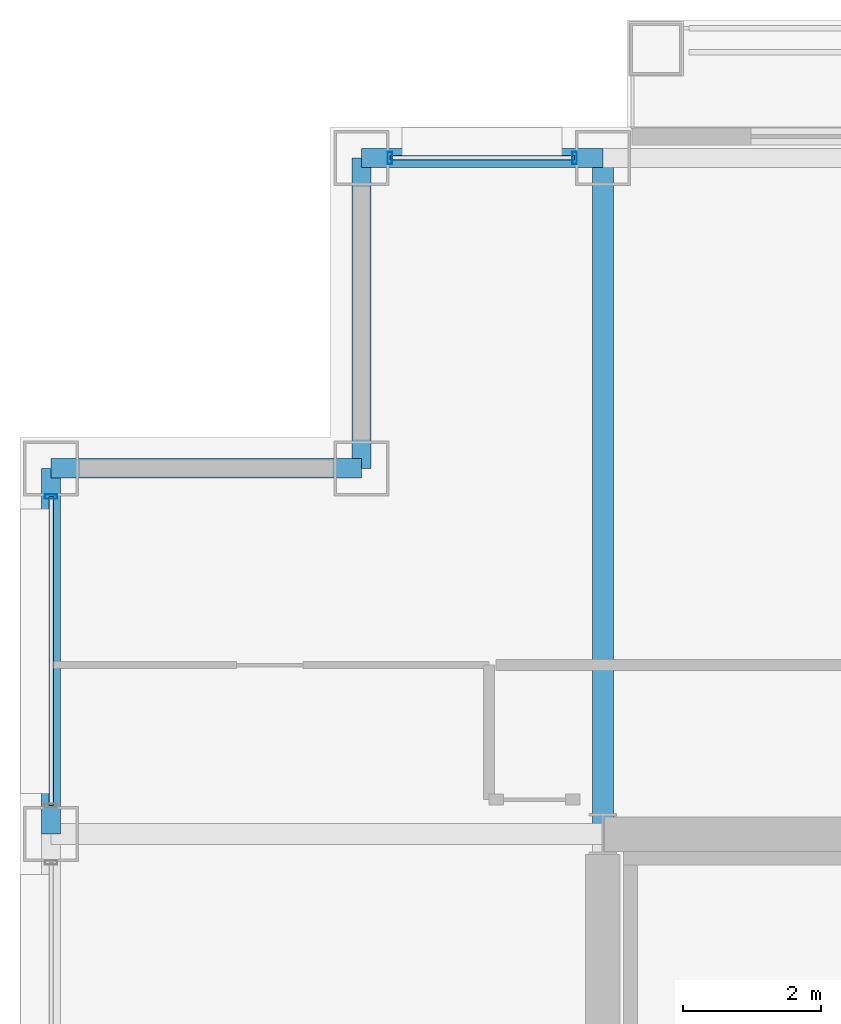
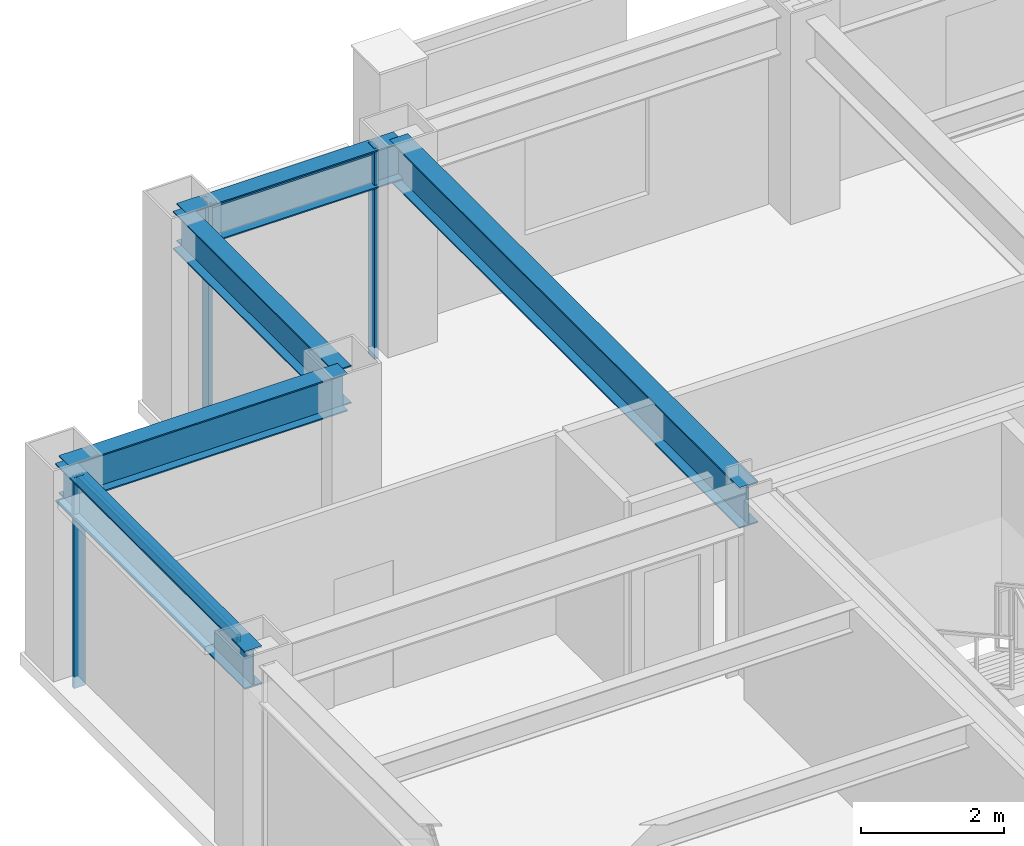
# One storey, part 17 of 29: 5 beams, 5 members, 2 elements without a shape of their own.
"""IFC4 building model written with IfcOpenShell, lengths in metres."""

import ifcopenshell
import ifcopenshell.guid

model = None  # the IFC model being written
_history = None  # IfcOwnerHistory: only IFC2X3 demands one
_inside = {}  # id of a spatial element -> (the spatial element, [elements in it])
_under = {}  # id of a project, library or spatial element -> (it, [spatial elements below it])
_declared = {}  # id of a project -> (the project, [libraries it declares])
_typed = {}  # id of a type object -> (the type object, [elements of that type])
_made_of = {}  # id of a material, layer set ... -> (it, [elements and type objects made of it])


def new_model(schema):
    """Start an empty IFC model of exactly this schema.

    Asked for "IFC4X3", IfcOpenShell would pick the latest addendum, in which some entities
    have other attributes; the version numbers below select the first issue.
    IFC2X3 requires an IfcOwnerHistory on every rooted entity: one is made here for all.
    """
    global model, _history
    if schema == "IFC4X3":
        model = ifcopenshell.file(schema_version=(4, 3, 0, 0))
    else:
        model = ifcopenshell.file(schema=schema)
    _inside.clear()
    _under.clear()
    _declared.clear()
    _typed.clear()
    _made_of.clear()
    _history = None
    if model.schema == "IFC2X3":
        org = make("IfcOrganization", Name="unknown")
        user = make(
            "IfcPersonAndOrganization",
            ThePerson=make("IfcPerson", FamilyName="unknown"),
            TheOrganization=org,
        )
        app = make(
            "IfcApplication",
            ApplicationDeveloper=org,
            Version="unknown",
            ApplicationFullName="unknown",
            ApplicationIdentifier="unknown",
        )
        _history = make(
            "IfcOwnerHistory",
            OwningUser=user,
            OwningApplication=app,
            ChangeAction="ADDED",
            CreationDate=0,
        )
    return model


def make(cls, **values):
    """One entity of the class cls with the attributes given. An attribute that is None is left unset."""
    return model.create_entity(
        cls, **{name: value for name, value in values.items() if value is not None}
    )


def rooted(cls, **values):
    """An entity with a GlobalId (a new one), such as an element, a storey or a relation."""
    return make(cls, GlobalId=ifcopenshell.guid.new(), OwnerHistory=_history, **values)


def si_unit(unit_type, name, prefix=None):
    """IfcSIUnit, for example si_unit("LENGTHUNIT", "METRE", prefix="MILLI")."""
    return make("IfcSIUnit", UnitType=unit_type, Prefix=prefix, Name=name)


def assignment(units):
    """IfcUnitAssignment: the units of a project."""
    return None if units is None else make("IfcUnitAssignment", Units=units)


def point(xyz):
    """IfcCartesianPoint."""
    return None if xyz is None else make("IfcCartesianPoint", Coordinates=xyz)


def direction(xyz):
    """IfcDirection."""
    return None if xyz is None else make("IfcDirection", DirectionRatios=xyz)


def frame(location, z_axis=None, x_axis=None):
    """IfcAxis2Placement3D, a coordinate frame: its origin and axes. An axis left out is left unset."""
    return make(
        "IfcAxis2Placement3D",
        Location=point(location),
        Axis=direction(z_axis),
        RefDirection=direction(x_axis),
    )


def frame_2d(location, x_axis=None):
    """IfcAxis2Placement2D, a coordinate frame in the plane: its origin and x axis."""
    return make(
        "IfcAxis2Placement2D", Location=point(location), RefDirection=direction(x_axis)
    )


def origin():
    """The frame at (0, 0, 0) with its axes left unset."""
    return frame((0.0, 0.0, 0.0))


def origin_2d():
    """The frame at (0, 0) in the plane with its x axis left unset."""
    return frame_2d((0.0, 0.0))


def place(relative_to, where):
    """IfcLocalPlacement: puts the frame where relative to a parent placement (None: the world)."""
    return make(
        "IfcLocalPlacement", PlacementRelTo=relative_to, RelativePlacement=where
    )


def context(
    kind, dimensions, precision=None, world=None, true_north=None, identifier=None
):
    """IfcGeometricRepresentationContext, for example the 3D "Model" context."""
    return make(
        "IfcGeometricRepresentationContext",
        ContextIdentifier=identifier,
        ContextType=kind,
        CoordinateSpaceDimension=dimensions,
        Precision=precision,
        WorldCoordinateSystem=world,
        TrueNorth=true_north,
    )


def subcontext(parent, identifier, kind, view, scale=None):
    """IfcGeometricRepresentationSubContext, for example "Body" below "Model"."""
    return make(
        "IfcGeometricRepresentationSubContext",
        ContextIdentifier=identifier,
        ContextType=kind,
        ParentContext=parent,
        TargetScale=scale,
        TargetView=view,
    )


def project(units=None, contexts=None):
    """IfcProject with its units and contexts."""
    return rooted(
        "IfcProject",
        Name="project",
        RepresentationContexts=contexts,
        UnitsInContext=assignment(units),
    )


def spatial(cls, under=None, at=None, **own):
    """A site, building, storey or space (cls), placed at a placement, below another one or the project."""
    s = rooted(cls, ObjectPlacement=at, **own)
    if under is not None:
        _under.setdefault(under.id(), (under, []))[1].append(s)
    return s


def profile(cls, at=None, kind="AREA", **sizes):
    """A parametric profile (cls). Its sizes go by their IFC names, for example OverallWidth=200.0."""
    return make(cls, ProfileType=kind, Position=at, **sizes)


def hollow_rectangle(**sizes):
    """IfcRectangleHollowProfileDef."""
    return profile("IfcRectangleHollowProfileDef", **sizes)


def i_section(**sizes):
    """IfcIShapeProfileDef."""
    return profile("IfcIShapeProfileDef", **sizes)


def extrude(swept, where, along, depth):
    """IfcExtrudedAreaSolid: the profile swept, set in the frame where, extruded along a direction by depth."""
    return make(
        "IfcExtrudedAreaSolid",
        SweptArea=swept,
        Position=where,
        ExtrudedDirection=direction(along),
        Depth=depth,
    )


def shape(context_of_items, identifier, shape_type, items):
    """IfcShapeRepresentation: the items that make up one representation, for example the "Body"."""
    return make(
        "IfcShapeRepresentation",
        ContextOfItems=context_of_items,
        RepresentationIdentifier=identifier,
        RepresentationType=shape_type,
        Items=items,
    )


def material(Name=None, Category=None):
    """IfcMaterial."""
    return make("IfcMaterial", Name=Name, Category=Category)


def layer(
    of_material, thickness, ventilated=None, Name=None, Category=None, Priority=None
):
    """IfcMaterialLayer: one layer of a wall or slab, of a material (None: an air gap)."""
    return make(
        "IfcMaterialLayer",
        Material=of_material,
        LayerThickness=thickness,
        IsVentilated=ventilated,
        Name=Name,
        Category=Category,
        Priority=Priority,
    )


def layer_set(layers, Name=None):
    """IfcMaterialLayerSet."""
    return make("IfcMaterialLayerSet", MaterialLayers=layers, LayerSetName=Name)


def material_profile(
    of_material, cross_section, Name=None, Category=None, Priority=None
):
    """IfcMaterialProfile: a cross section and its material."""
    return make(
        "IfcMaterialProfile",
        Name=Name,
        Material=of_material,
        Profile=cross_section,
        Priority=Priority,
        Category=Category,
    )


def profile_set(profiles, Name=None, composite=None):
    """IfcMaterialProfileSet."""
    return make(
        "IfcMaterialProfileSet",
        Name=Name,
        MaterialProfiles=profiles,
        CompositeProfile=composite,
    )


def made_of(thing, what):
    """Note that an element or type object is made of a material, layer set ...; save() writes the relation."""
    if what is not None:
        _made_of.setdefault(what.id(), (what, []))[1].append(thing)
    return thing


def type_object(cls, material=None, **own):
    """A type object (cls), such as IfcWallType, which elements share."""
    return made_of(rooted(cls, **own), material)


def element(
    cls,
    number,
    at=None,
    inside=None,
    cuts=None,
    type_object=None,
    material=None,
    context=None,
    identifier="Body",
    shape_type=None,
    held_by="IfcProductDefinitionShape",
    body=None,
    shapes=None,
    **own,
):
    """One element of the class cls, such as IfcWall. Its Tag is "e" and its number.

    at: its placement. inside: the storey or other place that contains it. cuts: it is an
    opening in that element (IfcRelVoidsElement). A single representation is given by context,
    identifier, shape_type and body (its items); several are given by shapes. held_by: the class
    of the entity that holds the representations. save() writes the other relations.
    """
    e = rooted(cls, Tag="e%d" % number, ObjectPlacement=at, **own)
    if body is not None:
        shapes = [shape(context, identifier, shape_type, body)]
    if shapes is not None:
        e.Representation = make(held_by, Representations=shapes)
    if inside is not None:
        _inside.setdefault(inside.id(), (inside, []))[1].append(e)
    if cuts is not None:
        rooted(
            "IfcRelVoidsElement", RelatingBuildingElement=cuts, RelatedOpeningElement=e
        )
    if type_object is not None:
        _typed.setdefault(type_object.id(), (type_object, []))[1].append(e)
    return made_of(e, material)


def aggregate(whole, parts):
    """IfcRelAggregates: a whole, such as a stair, and the parts it consists of."""
    return rooted("IfcRelAggregates", RelatingObject=whole, RelatedObjects=parts)


def save(model, path):
    """Write the relations noted so far, then the file.

    IfcRelAggregates (storeys below a building ...), IfcRelContainedInSpatialStructure (elements
    in a storey), IfcRelDefinesByType, IfcRelAssociatesMaterial and IfcRelDeclares: one each for
    every whole, place, type object, material and project.
    """
    for whole, parts in _under.values():
        aggregate(whole, parts)
    for where, things in _inside.values():
        rooted(
            "IfcRelContainedInSpatialStructure",
            RelatedElements=things,
            RelatingStructure=where,
        )
    for kind, things in _typed.values():
        rooted("IfcRelDefinesByType", RelatedObjects=things, RelatingType=kind)
    for what, things in _made_of.values():
        rooted("IfcRelAssociatesMaterial", RelatedObjects=things, RelatingMaterial=what)
    for by, libraries in _declared.values():
        rooted("IfcRelDeclares", RelatingContext=by, RelatedDefinitions=libraries)
    model.write(path)


model = new_model("IFC4")

# Units and contexts
model_context = context("Model", 3, precision=1e-05, world=origin(), true_north=direction((0.0, 1.0)))
body_context = subcontext(model_context, "Body", "Model", "MODEL_VIEW")
ifc_project = project(units=[si_unit("LENGTHUNIT", "METRE"), si_unit("AREAUNIT", "SQUARE_METRE"), si_unit("VOLUMEUNIT", "CUBIC_METRE"), si_unit("PLANEANGLEUNIT", "RADIAN"), si_unit("MASSUNIT", "GRAM", prefix="KILO")], contexts=[model_context])

# Site, building, storey
site_placement = place(None, origin())
site = spatial("IfcSite", under=ifc_project, at=site_placement, CompositionType="ELEMENT")
building_placement = place(site_placement, origin())
building = spatial("IfcBuilding", under=site, at=building_placement, Name="Brelmoor Portico Tower", CompositionType="ELEMENT")
storey_placement = place(building_placement, frame((0.0, 0.0, 127.800048828125)))
storey = spatial("IfcBuildingStorey", under=building, at=storey_placement, Name="L33", CompositionType="ELEMENT", Elevation=127.800048828125)

# Beams
ifc_material_1 = material(Name="Steel Q355B", Category="steel")
ifc_material_profile_1 = material_profile(ifc_material_1, i_section(OverallWidth=0.300048828125, OverallDepth=0.699951171875, WebThickness=0.012939453125, FlangeThickness=0.02392578125, at=origin_2d()), Name="HN 700x300x13x24")
ifc_profile_set_1 = profile_set([ifc_material_profile_1], Name="Steel Q355B")
beam_type_1 = type_object("IfcBeamType", Name="BM-PG-700", PredefinedType="BEAM", material=ifc_profile_set_1)
beam_1_placement = place(storey_placement, frame((-14.550048828125, 9.75, 3.050048828125), z_axis=(0.0, 1.0, 0.0), x_axis=(-1.0, 0.0, 0.0)))
element("IfcBeam", 1, at=beam_1_placement, inside=storey, type_object=beam_type_1, Name="L33 Primary Floor Girder PG-04", PredefinedType="BEAM", context=body_context, shape_type="SweptSolid", body=[
    extrude(i_section(OverallWidth=0.300048828125, OverallDepth=0.699951171875, WebThickness=0.012939453125, FlangeThickness=0.02392578125, at=origin_2d()), origin(), (0.0, 0.0, 1.0), 9.800048828125),
])
ifc_material_profile_2 = material_profile(ifc_material_1, i_section(OverallWidth=0.280029296875, OverallDepth=0.64990234375, WebThickness=0.012939453125, FlangeThickness=0.02197265625, at=origin_2d()), Name="HN 650x280x13x22")
ifc_profile_set_2 = profile_set([ifc_material_profile_2], Name="Steel Q355B")
beam_type_2 = type_object("IfcBeamType", Name="BM-SP-650", PredefinedType="SPANDREL", material=ifc_profile_set_2)
beam_2_placement = place(storey_placement, frame((-22.550048828125, 15.050048828125, 3.074951171875), z_axis=(1.0, 0.0, 0.0), x_axis=(0.0, 1.0, 0.0)))
element("IfcBeam", 2, at=beam_2_placement, inside=storey, type_object=beam_type_2, Name="L33 Perimeter Spandrel Beam SP-08", PredefinedType="SPANDREL", context=body_context, shape_type="SweptSolid", body=[
    extrude(i_section(OverallWidth=0.280029296875, OverallDepth=0.64990234375, WebThickness=0.012939453125, FlangeThickness=0.02197265625, at=origin_2d()), origin(), (0.0, 0.0, 1.0), 4.5),
])
beam_3_placement = place(storey_placement, frame((-18.050048828125, 19.550048828125, 3.074951171875), z_axis=(1.0, 0.0, 0.0), x_axis=(0.0, 1.0, 0.0)))
element("IfcBeam", 3, at=beam_3_placement, inside=storey, type_object=beam_type_2, Name="L33 Perimeter Spandrel Beam SP-10", PredefinedType="SPANDREL", context=body_context, shape_type="SweptSolid", body=[
    extrude(i_section(OverallWidth=0.280029296875, OverallDepth=0.64990234375, WebThickness=0.012939453125, FlangeThickness=0.02197265625, at=origin_2d()), origin(), (0.0, 0.0, 1.0), 3.5),
])
beam_4_placement = place(storey_placement, frame((-22.550048828125, 9.75, 3.074951171875), z_axis=(0.0, 1.0, 0.0), x_axis=(-1.0, 0.0, 0.0)))
element("IfcBeam", 4, at=beam_4_placement, inside=storey, type_object=beam_type_2, Name="L33 Perimeter Spandrel Beam SP-17", PredefinedType="SPANDREL", context=body_context, shape_type="SweptSolid", body=[
    extrude(i_section(OverallWidth=0.280029296875, OverallDepth=0.64990234375, WebThickness=0.012939453125, FlangeThickness=0.02197265625, at=origin_2d()), origin(), (0.0, 0.0, 1.0), 5.300048828125),
])
beam_5_placement = place(storey_placement, frame((-18.050048828125, 15.050048828125, 3.074951171875), z_axis=(0.0, 1.0, 0.0), x_axis=(-1.0, 0.0, 0.0)))
element("IfcBeam", 5, at=beam_5_placement, inside=storey, type_object=beam_type_2, Name="L33 Perimeter Spandrel Beam SP-19", PredefinedType="SPANDREL", context=body_context, shape_type="SweptSolid", body=[
    extrude(i_section(OverallWidth=0.280029296875, OverallDepth=0.64990234375, WebThickness=0.012939453125, FlangeThickness=0.02197265625, at=origin_2d()), origin(), (0.0, 0.0, 1.0), 4.5),
])

# Curtain wall, members
ifc_material_2 = material(Name="Anodised Aluminium Alloy 6063-T6", Category="aluminium")
ifc_layer = layer(ifc_material_2, 0.179931640625)
ifc_layer_set = layer_set([ifc_layer], Name="Anodised Aluminium Alloy 6063-T6")
curtain_wall_type = type_object("IfcCurtainWallType", Name="CW-TOWER-Z2-XB", PredefinedType="NOTDEFINED", material=ifc_layer_set)
curtain_wall_1_placement = place(storey_placement, origin())
curtain_wall_1 = element("IfcCurtainWall", 6, at=curtain_wall_1_placement, inside=storey, type_object=curtain_wall_type, Name="L33 Curtain Wall CW-L33-2L", PredefinedType="NOTDEFINED")
ifc_material_profile_3 = material_profile(ifc_material_2, hollow_rectangle(XDim=0.06494140625, YDim=0.179931640625, WallThickness=0.00390625, at=origin_2d()), Name="ALU MULLION 65x180")
ifc_profile_set_3 = profile_set([ifc_material_profile_3], Name="Anodised Aluminium Alloy 6063-T6")
member_type_1 = type_object("IfcMemberType", Name="MB-CW-MULL-180", PredefinedType="MULLION", material=ifc_profile_set_3)
member_1_placement = place(storey_placement, frame((-17.639892578125, 19.550048828125, -0.199951171875), z_axis=(0.0, 0.0, 1.0), x_axis=(1.0, 0.0, 0.0)))
member_1 = element("IfcMember", 7, at=member_1_placement, type_object=member_type_1, Name="CW-L33-2L Mullion 00", PredefinedType="MULLION", context=body_context, shape_type="SweptSolid", body=[
    extrude(hollow_rectangle(XDim=0.06494140625, YDim=0.179931640625, WallThickness=0.00390625, at=origin_2d()), origin(), (0.0, 0.0, 1.0), 3.599853515625),
])
member_2_placement = place(storey_placement, frame((-14.9599609375, 19.550048828125, -0.199951171875), z_axis=(0.0, 0.0, 1.0), x_axis=(1.0, 0.0, 0.0)))
member_2 = element("IfcMember", 8, at=member_2_placement, type_object=member_type_1, Name="CW-L33-2L Mullion 01", PredefinedType="MULLION", context=body_context, shape_type="SweptSolid", body=[
    extrude(hollow_rectangle(XDim=0.06494140625, YDim=0.179931640625, WallThickness=0.00390625, at=origin_2d()), origin(), (0.0, 0.0, 1.0), 3.599853515625),
])

# Curtain wall, member
curtain_wall_2_placement = place(storey_placement, origin())
curtain_wall_2 = element("IfcCurtainWall", 9, at=curtain_wall_2_placement, inside=storey, type_object=curtain_wall_type, Name="L33 Curtain Wall CW-L33-03-3", PredefinedType="NOTDEFINED")
member_3_placement = place(storey_placement, frame((-22.550048828125, 14.639892578125, -0.199951171875), z_axis=(0.0, 0.0, 1.0), x_axis=(0.0, 1.0, 0.0)))
member_3 = element("IfcMember", 10, at=member_3_placement, type_object=member_type_1, Name="CW-L33-03-3 Mullion 01", PredefinedType="MULLION", context=body_context, shape_type="SweptSolid", body=[
    extrude(hollow_rectangle(XDim=0.06494140625, YDim=0.179931640625, WallThickness=0.00390625, at=origin_2d()), origin(), (0.0, 0.0, 1.0), 3.599853515625),
])

# Member
ifc_material_profile_4 = material_profile(ifc_material_2, hollow_rectangle(XDim=0.06494140625, YDim=0.139892578125, WallThickness=0.00390625, at=origin_2d()), Name="ALU TRANSOM 65x140")
ifc_profile_set_4 = profile_set([ifc_material_profile_4], Name="Anodised Aluminium Alloy 6063-T6")
member_type_2 = type_object("IfcMemberType", Name="MB-CW-TRAN-140", PredefinedType="USERDEFINED", material=ifc_profile_set_4)
member_4_placement = place(storey_placement, frame((-17.639892578125, 19.550048828125, 3.329833984375), z_axis=(1.0, 0.0, 0.0), x_axis=(0.0, 1.0, 0.0)))
member_4 = element("IfcMember", 11, at=member_4_placement, type_object=member_type_2, Name="CW-L33-2L Transom 1-00", ObjectType="TRANSOM", PredefinedType="USERDEFINED", context=body_context, shape_type="SweptSolid", body=[
    extrude(hollow_rectangle(XDim=0.06494140625, YDim=0.139892578125, WallThickness=0.00390625, at=origin_2d()), origin(), (0.0, 0.0, 1.0), 2.679931640625),
])

aggregate(curtain_wall_1, [member_1, member_2, member_4])

member_5_placement = place(storey_placement, frame((-22.550048828125, 10.159912109375, 3.329833984375), z_axis=(0.0, 1.0, 0.0), x_axis=(-1.0, 0.0, 0.0)))
member_5 = element("IfcMember", 12, at=member_5_placement, type_object=member_type_2, Name="CW-L33-03-3 Transom 1-00", ObjectType="TRANSOM", PredefinedType="USERDEFINED", context=body_context, shape_type="SweptSolid", body=[
    extrude(hollow_rectangle(XDim=0.06494140625, YDim=0.139892578125, WallThickness=0.00390625, at=origin_2d()), origin(), (0.0, 0.0, 1.0), 4.47998046875),
])

aggregate(curtain_wall_2, [member_3, member_5])

save(model, "model.ifc")
